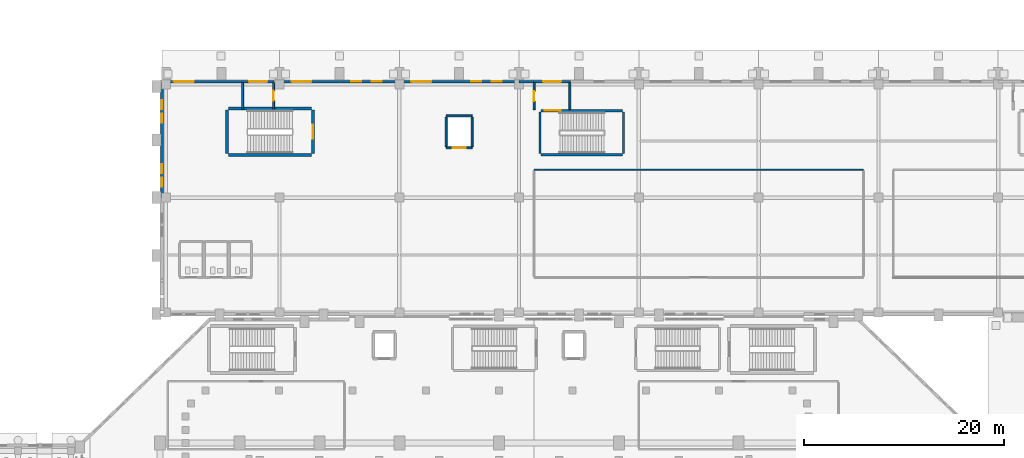
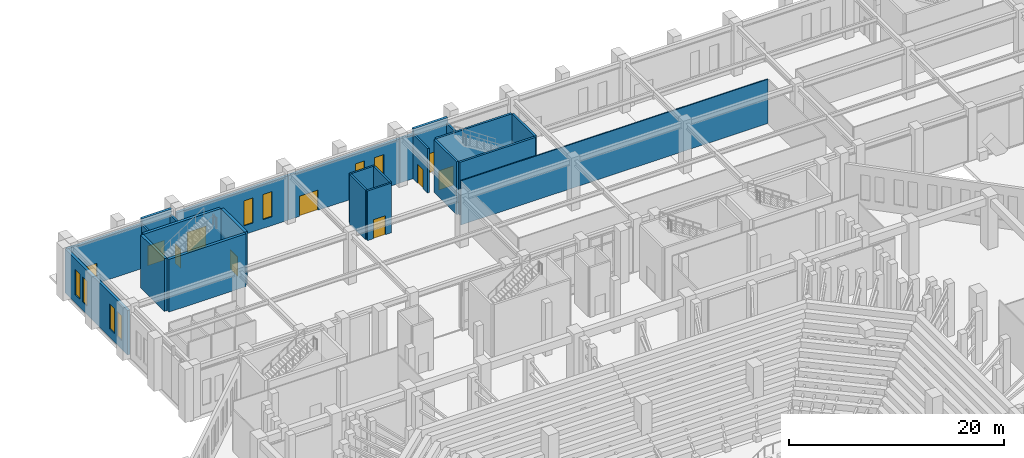
# One storey, part 119 of 143: 24 walls, 10 doors, 8 windows, 18 openings.
"""IFC4 building model written with IfcOpenShell, lengths in metres."""

from ifc_helpers import new_model, si_unit, derived_unit, direction, frame, frame_2d, origin, place, context, subcontext, project, spatial, rectangle, extrude, material, layer, layer_set, type_object, element, fill, save


model = new_model("IFC4")

# Units and contexts
model_context = context("Model", 3, precision=1e-05, world=origin(), true_north=direction((0.0, 1.0)))
body_context = subcontext(model_context, "Body", "Model", "MODEL_VIEW")
ifc_project = project(units=[si_unit("LENGTHUNIT", "METRE"), si_unit("AREAUNIT", "SQUARE_METRE"), si_unit("VOLUMEUNIT", "CUBIC_METRE"), si_unit("PLANEANGLEUNIT", "RADIAN"), si_unit("MASSUNIT", "GRAM", prefix="KILO"), derived_unit("THERMALTRANSMITTANCEUNIT", [(si_unit("MASSUNIT", "GRAM", prefix="KILO"), 1), (si_unit("TIMEUNIT", "SECOND"), -3), (si_unit("THERMODYNAMICTEMPERATUREUNIT", "KELVIN"), -1)])], contexts=[model_context])

# Site, building, storey
site_placement = place(None, origin())
site = spatial("IfcSite", under=ifc_project, at=site_placement, CompositionType="ELEMENT")
building_placement = place(site_placement, origin())
building = spatial("IfcBuilding", under=site, at=building_placement, Name="Valcora Ridge Arena", CompositionType="ELEMENT")
storey_placement = place(building_placement, origin())
storey = spatial("IfcBuildingStorey", under=building, at=storey_placement, Name="L00", CompositionType="ELEMENT", Elevation=0.0)

# Wall, opening, door
ifc_material_1 = material(Name="Bush-hammered Andean travertine on concrete backup C40/50", Category="masonry")
ifc_layer_1 = layer(ifc_material_1, 0.280029296875, Name="Bush-hammered Andean travertine on concrete backup C40/50")
ifc_layer_set_1 = layer_set([ifc_layer_1], Name="Bush-hammered Andean travertine on concrete backup C40/50")
wall_type_1 = type_object("IfcWallType", Name="TY-WALL-EW-TRV-28-50", PredefinedType="STANDARD", material=ifc_layer_set_1)
wall_1_placement = place(storey_placement, frame((24.219970703125, 131.820068359375, 0.0), z_axis=(0.0, 0.0, 1.0), x_axis=(1.0, 0.0, 0.0)))
wall_1 = element("IfcWall", 1, at=wall_1_placement, inside=storey, type_object=wall_type_1, Name="EW-TRV-28-50 WAL-EW-0105", PredefinedType="STANDARD", context=body_context, shape_type="SweptSolid", body=[
    extrude(rectangle(XDim=8.030029296875, YDim=0.280029296875, at=frame_2d((4.01513671875, 0.0))), origin(), (0.0, 0.0, 1.0), 5.028076171875),
])
opening_1_placement = place(wall_1_placement, frame((1.199951171875, 0.0, 0.0)))
opening_1 = element("IfcOpeningElement", 2, at=opening_1_placement, cuts=wall_1, Name="Opening D-EXIT-2000", PredefinedType="OPENING", context=body_context, shape_type="SweptSolid", body=[
    extrude(rectangle(XDim=2.0, YDim=2.300048828125, at=frame_2d((1.0, 1.14990234375))), frame((0.0, 0.14990234375, 0.0), z_axis=(0.0, -1.0, 0.0), x_axis=(1.0, 0.0, 0.0)), (0.0, 0.0, 1.0), 0.300048828125),
])
ifc_material_2 = material(Name="Thermally broken bronze aluminium glazed entrance leaf", Category="aluminium")
door_type_1 = type_object("IfcDoorType", Name="TY-DOOR-D-EXIT-2000", OperationType="NOTDEFINED", PredefinedType="DOOR", material=ifc_material_2)
door_1_placement = place(opening_1_placement, origin())
door_1 = element("IfcDoor", 3, at=door_1_placement, inside=storey, type_object=door_type_1, Name="D-EXIT-2000 DOR-EX-0025", OperationType="DOUBLE_DOOR_SINGLE_SWING", OverallHeight=2.300048828125, OverallWidth=2.0, PredefinedType="DOOR", context=body_context, shape_type="SweptSolid", body=[
    extrude(rectangle(XDim=2.0, YDim=2.300048828125, at=frame_2d((1.0, 1.14990234375))), frame((0.0, 0.02490234375, 0.0), z_axis=(0.0, -1.0, 0.0), x_axis=(1.0, 0.0, 0.0)), (0.0, 0.0, 1.0), 0.050048828125),
])
fill(opening_1, door_1)

# Wall, openings, door, windows
wall_2_placement = place(storey_placement, frame((36.0, 131.820068359375, 0.0), z_axis=(0.0, 0.0, 1.0), x_axis=(1.0, 0.0, 0.0)))
wall_2 = element("IfcWall", 4, at=wall_2_placement, inside=storey, type_object=wall_type_1, Name="EW-TRV-28-50 WAL-EW-0106", PredefinedType="STANDARD", context=body_context, shape_type="SweptSolid", body=[
    extrude(rectangle(XDim=12.0, YDim=0.280029296875, at=frame_2d((6.0, 0.0))), origin(), (0.0, 0.0, 1.0), 5.028076171875),
])
opening_2_placement = place(wall_2_placement, frame((1.199951171875, 0.0, 0.0)))
opening_2 = element("IfcOpeningElement", 5, at=opening_2_placement, cuts=wall_2, Name="Opening D-EXIT-2000", PredefinedType="OPENING", context=body_context, shape_type="SweptSolid", body=[
    extrude(rectangle(XDim=2.0, YDim=2.300048828125, at=frame_2d((1.0, 1.14990234375))), frame((0.0, 0.14990234375, 0.0), z_axis=(0.0, -1.0, 0.0), x_axis=(1.0, 0.0, 0.0)), (0.0, 0.0, 1.0), 0.300048828125),
])
opening_3_placement = place(wall_2_placement, frame((7.199951171875, 0.0, 1.0)))
opening_3 = element("IfcOpeningElement", 6, at=opening_3_placement, cuts=wall_2, Name="Opening W-LAN-100X285", PredefinedType="OPENING", context=body_context, shape_type="SweptSolid", body=[
    extrude(rectangle(XDim=1.0, YDim=2.85009765625, at=frame_2d((0.5, 1.425048828125))), frame((0.0, 0.14990234375, 0.0), z_axis=(0.0, -1.0, 0.0), x_axis=(1.0, 0.0, 0.0)), (0.0, 0.0, 1.0), 0.300048828125),
])
opening_4_placement = place(wall_2_placement, frame((9.25, 0.0, 1.0)))
opening_4 = element("IfcOpeningElement", 7, at=opening_4_placement, cuts=wall_2, Name="Opening W-LAN-100X285", PredefinedType="OPENING", context=body_context, shape_type="SweptSolid", body=[
    extrude(rectangle(XDim=1.0, YDim=2.85009765625, at=frame_2d((0.5, 1.425048828125))), frame((0.0, 0.14990234375, 0.0), z_axis=(0.0, -1.0, 0.0), x_axis=(1.0, 0.0, 0.0)), (0.0, 0.0, 1.0), 0.300048828125),
])
door_2_placement = place(opening_2_placement, origin())
door_2 = element("IfcDoor", 8, at=door_2_placement, inside=storey, type_object=door_type_1, Name="D-EXIT-2000 DOR-EX-0026", OperationType="DOUBLE_DOOR_SINGLE_SWING", OverallHeight=2.300048828125, OverallWidth=2.0, PredefinedType="DOOR", context=body_context, shape_type="SweptSolid", body=[
    extrude(rectangle(XDim=2.0, YDim=2.300048828125, at=frame_2d((1.0, 1.14990234375))), frame((0.0, 0.02490234375, 0.0), z_axis=(0.0, -1.0, 0.0), x_axis=(1.0, 0.0, 0.0)), (0.0, 0.0, 1.0), 0.050048828125),
])
fill(opening_2, door_2)
ifc_material_3 = material(Name="Low-iron solar-control double glazing SHGC 0.28", Category="glass")
window_type_1 = type_object("IfcWindowType", Name="TY-WINDOW-W-LAN-100X285", PartitioningType="DOUBLE_PANEL_VERTICAL", PredefinedType="WINDOW", material=ifc_material_3)
window_1_placement = place(opening_3_placement, origin())
window_1 = element("IfcWindow", 9, at=window_1_placement, inside=storey, type_object=window_type_1, Name="W-LAN-100X285 WIN-EX-0342", OverallHeight=2.85009765625, OverallWidth=1.0, PartitioningType="DOUBLE_PANEL_VERTICAL", PredefinedType="WINDOW", context=body_context, shape_type="SweptSolid", body=[
    extrude(rectangle(XDim=1.0, YDim=2.85009765625, at=frame_2d((0.5, 1.425048828125))), frame((0.0, 0.030029296875, 0.0), z_axis=(0.0, -1.0, 0.0), x_axis=(1.0, 0.0, 0.0)), (0.0, 0.0, 1.0), 0.06005859375),
])
fill(opening_3, window_1)
window_2_placement = place(opening_4_placement, origin())
window_2 = element("IfcWindow", 10, at=window_2_placement, inside=storey, type_object=window_type_1, Name="W-LAN-100X285 WIN-EX-0343", OverallHeight=2.85009765625, OverallWidth=1.0, PartitioningType="DOUBLE_PANEL_VERTICAL", PredefinedType="WINDOW", context=body_context, shape_type="SweptSolid", body=[
    extrude(rectangle(XDim=1.0, YDim=2.85009765625, at=frame_2d((0.5, 1.425048828125))), frame((0.0, 0.030029296875, 0.0), z_axis=(0.0, -1.0, 0.0), x_axis=(1.0, 0.0, 0.0)), (0.0, 0.0, 1.0), 0.06005859375),
])
fill(opening_4, window_2)

wall_3_placement = place(storey_placement, frame((48.0, 131.820068359375, 0.0), z_axis=(0.0, 0.0, 1.0), x_axis=(1.0, 0.0, 0.0)))
wall_3 = element("IfcWall", 11, at=wall_3_placement, inside=storey, type_object=wall_type_1, Name="EW-TRV-28-50 WAL-EW-0107", PredefinedType="STANDARD", context=body_context, shape_type="SweptSolid", body=[
    extrude(rectangle(XDim=12.0, YDim=0.280029296875, at=frame_2d((6.0, 0.0))), origin(), (0.0, 0.0, 1.0), 5.028076171875),
])
opening_5_placement = place(wall_3_placement, frame((1.199951171875, 0.0, 0.0)))
opening_5 = element("IfcOpeningElement", 12, at=opening_5_placement, cuts=wall_3, Name="Opening D-EXIT-2000", PredefinedType="OPENING", context=body_context, shape_type="SweptSolid", body=[
    extrude(rectangle(XDim=2.0, YDim=2.300048828125, at=frame_2d((1.0, 1.14990234375))), frame((0.0, 0.14990234375, 0.0), z_axis=(0.0, -1.0, 0.0), x_axis=(1.0, 0.0, 0.0)), (0.0, 0.0, 1.0), 0.300048828125),
])
opening_6_placement = place(wall_3_placement, frame((7.199951171875, 0.0, 1.0)))
opening_6 = element("IfcOpeningElement", 13, at=opening_6_placement, cuts=wall_3, Name="Opening W-LAN-100X285", PredefinedType="OPENING", context=body_context, shape_type="SweptSolid", body=[
    extrude(rectangle(XDim=1.0, YDim=2.85009765625, at=frame_2d((0.5, 1.425048828125))), frame((0.0, 0.14990234375, 0.0), z_axis=(0.0, -1.0, 0.0), x_axis=(1.0, 0.0, 0.0)), (0.0, 0.0, 1.0), 0.300048828125),
])
opening_7_placement = place(wall_3_placement, frame((9.25, 0.0, 1.0)))
opening_7 = element("IfcOpeningElement", 14, at=opening_7_placement, cuts=wall_3, Name="Opening W-LAN-100X285", PredefinedType="OPENING", context=body_context, shape_type="SweptSolid", body=[
    extrude(rectangle(XDim=1.0, YDim=2.85009765625, at=frame_2d((0.5, 1.425048828125))), frame((0.0, 0.14990234375, 0.0), z_axis=(0.0, -1.0, 0.0), x_axis=(1.0, 0.0, 0.0)), (0.0, 0.0, 1.0), 0.300048828125),
])
door_3_placement = place(opening_5_placement, origin())
door_3 = element("IfcDoor", 15, at=door_3_placement, inside=storey, type_object=door_type_1, Name="D-EXIT-2000 DOR-EX-0027", OperationType="DOUBLE_DOOR_SINGLE_SWING", OverallHeight=2.300048828125, OverallWidth=2.0, PredefinedType="DOOR", context=body_context, shape_type="SweptSolid", body=[
    extrude(rectangle(XDim=2.0, YDim=2.300048828125, at=frame_2d((1.0, 1.14990234375))), frame((0.0, 0.02490234375, 0.0), z_axis=(0.0, -1.0, 0.0), x_axis=(1.0, 0.0, 0.0)), (0.0, 0.0, 1.0), 0.050048828125),
])
fill(opening_5, door_3)
window_3_placement = place(opening_6_placement, origin())
window_3 = element("IfcWindow", 16, at=window_3_placement, inside=storey, type_object=window_type_1, Name="W-LAN-100X285 WIN-EX-0344", OverallHeight=2.85009765625, OverallWidth=1.0, PartitioningType="DOUBLE_PANEL_VERTICAL", PredefinedType="WINDOW", context=body_context, shape_type="SweptSolid", body=[
    extrude(rectangle(XDim=1.0, YDim=2.85009765625, at=frame_2d((0.5, 1.425048828125))), frame((0.0, 0.030029296875, 0.0), z_axis=(0.0, -1.0, 0.0), x_axis=(1.0, 0.0, 0.0)), (0.0, 0.0, 1.0), 0.06005859375),
])
fill(opening_6, window_3)
window_4_placement = place(opening_7_placement, origin())
window_4 = element("IfcWindow", 17, at=window_4_placement, inside=storey, type_object=window_type_1, Name="W-LAN-100X285 WIN-EX-0345", OverallHeight=2.85009765625, OverallWidth=1.0, PartitioningType="DOUBLE_PANEL_VERTICAL", PredefinedType="WINDOW", context=body_context, shape_type="SweptSolid", body=[
    extrude(rectangle(XDim=1.0, YDim=2.85009765625, at=frame_2d((0.5, 1.425048828125))), frame((0.0, 0.030029296875, 0.0), z_axis=(0.0, -1.0, 0.0), x_axis=(1.0, 0.0, 0.0)), (0.0, 0.0, 1.0), 0.06005859375),
])
fill(opening_7, window_4)

# Wall
wall_4_placement = place(storey_placement, frame((60.0, 131.820068359375, 0.0), z_axis=(0.0, 0.0, 1.0), x_axis=(1.0, 0.0, 0.0)))
element("IfcWall", 18, at=wall_4_placement, inside=storey, type_object=wall_type_1, Name="EW-TRV-28-50 WAL-EW-0108", PredefinedType="STANDARD", context=body_context, shape_type="SweptSolid", body=[
    extrude(rectangle(XDim=1.449951171875, YDim=0.280029296875, at=frame_2d((0.72509765625, 0.0))), origin(), (0.0, 0.0, 1.0), 5.028076171875),
])

# Wall, openings, windows
wall_5_placement = place(storey_placement, frame((24.219970703125, 120.199951171875, 0.0), z_axis=(0.0, 0.0, 1.0), x_axis=(0.0, 1.0, 0.0)))
wall_5 = element("IfcWall", 19, at=wall_5_placement, inside=storey, type_object=wall_type_1, Name="EW-TRV-28-50 WAL-EW-0128", PredefinedType="STANDARD", context=body_context, shape_type="SweptSolid", body=[
    extrude(rectangle(XDim=11.60009765625, YDim=0.280029296875, at=frame_2d((5.800048828125, 0.0))), origin(), (0.0, 0.0, 1.0), 5.028076171875),
])
opening_8_placement = place(wall_5_placement, frame((1.10009765625, 0.0, 0.949951171875)))
opening_8 = element("IfcOpeningElement", 20, at=opening_8_placement, cuts=wall_5, Name="Opening W-GLAN-90X285", PredefinedType="OPENING", context=body_context, shape_type="SweptSolid", body=[
    extrude(rectangle(XDim=0.89990234375, YDim=2.85009765625, at=frame_2d((0.449951171875, 1.425048828125))), frame((0.0, 0.14990234375, 0.0), z_axis=(0.0, -1.0, 0.0), x_axis=(1.0, 0.0, 0.0)), (0.0, 0.0, 1.0), 0.300048828125),
])
opening_9_placement = place(wall_5_placement, frame((2.449951171875, 0.0, 0.949951171875)))
opening_9 = element("IfcOpeningElement", 21, at=opening_9_placement, cuts=wall_5, Name="Opening W-GLAN-90X285", PredefinedType="OPENING", context=body_context, shape_type="SweptSolid", body=[
    extrude(rectangle(XDim=0.89990234375, YDim=2.85009765625, at=frame_2d((0.449951171875, 1.425048828125))), frame((0.0, 0.14990234375, 0.0), z_axis=(0.0, -1.0, 0.0), x_axis=(1.0, 0.0, 0.0)), (0.0, 0.0, 1.0), 0.300048828125),
])
opening_10_placement = place(wall_5_placement, frame((7.5, 0.0, 0.949951171875)))
opening_10 = element("IfcOpeningElement", 22, at=opening_10_placement, cuts=wall_5, Name="Opening W-GLAN-90X285", PredefinedType="OPENING", context=body_context, shape_type="SweptSolid", body=[
    extrude(rectangle(XDim=0.89990234375, YDim=2.85009765625, at=frame_2d((0.449951171875, 1.425048828125))), frame((0.0, 0.14990234375, 0.0), z_axis=(0.0, -1.0, 0.0), x_axis=(1.0, 0.0, 0.0)), (0.0, 0.0, 1.0), 0.300048828125),
])
opening_11_placement = place(wall_5_placement, frame((8.85009765625, 0.0, 0.949951171875)))
opening_11 = element("IfcOpeningElement", 23, at=opening_11_placement, cuts=wall_5, Name="Opening W-GLAN-90X285", PredefinedType="OPENING", context=body_context, shape_type="SweptSolid", body=[
    extrude(rectangle(XDim=0.89990234375, YDim=2.85009765625, at=frame_2d((0.449951171875, 1.425048828125))), frame((0.0, 0.14990234375, 0.0), z_axis=(0.0, -1.0, 0.0), x_axis=(1.0, 0.0, 0.0)), (0.0, 0.0, 1.0), 0.300048828125),
])
window_type_2 = type_object("IfcWindowType", Name="TY-WINDOW-W-GLAN-90X285", PartitioningType="DOUBLE_PANEL_VERTICAL", PredefinedType="WINDOW", material=ifc_material_3)
window_5_placement = place(opening_8_placement, origin())
window_5 = element("IfcWindow", 24, at=window_5_placement, inside=storey, type_object=window_type_2, Name="W-GLAN-90X285 WIN-EX-0378", OverallHeight=2.85009765625, OverallWidth=0.89990234375, PartitioningType="DOUBLE_PANEL_VERTICAL", PredefinedType="WINDOW", context=body_context, shape_type="SweptSolid", body=[
    extrude(rectangle(XDim=0.89990234375, YDim=2.85009765625, at=frame_2d((0.449951171875, 1.425048828125))), frame((0.0, 0.030029296875, 0.0), z_axis=(0.0, -1.0, 0.0), x_axis=(1.0, 0.0, 0.0)), (0.0, 0.0, 1.0), 0.06005859375),
])
fill(opening_8, window_5)
window_6_placement = place(opening_9_placement, origin())
window_6 = element("IfcWindow", 25, at=window_6_placement, inside=storey, type_object=window_type_2, Name="W-GLAN-90X285 WIN-EX-0379", OverallHeight=2.85009765625, OverallWidth=0.89990234375, PartitioningType="DOUBLE_PANEL_VERTICAL", PredefinedType="WINDOW", context=body_context, shape_type="SweptSolid", body=[
    extrude(rectangle(XDim=0.89990234375, YDim=2.85009765625, at=frame_2d((0.449951171875, 1.425048828125))), frame((0.0, 0.030029296875, 0.0), z_axis=(0.0, -1.0, 0.0), x_axis=(1.0, 0.0, 0.0)), (0.0, 0.0, 1.0), 0.06005859375),
])
fill(opening_9, window_6)
window_7_placement = place(opening_10_placement, origin())
window_7 = element("IfcWindow", 26, at=window_7_placement, inside=storey, type_object=window_type_2, Name="W-GLAN-90X285 WIN-EX-0380", OverallHeight=2.85009765625, OverallWidth=0.89990234375, PartitioningType="DOUBLE_PANEL_VERTICAL", PredefinedType="WINDOW", context=body_context, shape_type="SweptSolid", body=[
    extrude(rectangle(XDim=0.89990234375, YDim=2.85009765625, at=frame_2d((0.449951171875, 1.425048828125))), frame((0.0, 0.030029296875, 0.0), z_axis=(0.0, -1.0, 0.0), x_axis=(1.0, 0.0, 0.0)), (0.0, 0.0, 1.0), 0.06005859375),
])
fill(opening_10, window_7)
window_8_placement = place(opening_11_placement, origin())
window_8 = element("IfcWindow", 27, at=window_8_placement, inside=storey, type_object=window_type_2, Name="W-GLAN-90X285 WIN-EX-0381", OverallHeight=2.85009765625, OverallWidth=0.89990234375, PartitioningType="DOUBLE_PANEL_VERTICAL", PredefinedType="WINDOW", context=body_context, shape_type="SweptSolid", body=[
    extrude(rectangle(XDim=0.89990234375, YDim=2.85009765625, at=frame_2d((0.449951171875, 1.425048828125))), frame((0.0, 0.030029296875, 0.0), z_axis=(0.0, -1.0, 0.0), x_axis=(1.0, 0.0, 0.0)), (0.0, 0.0, 1.0), 0.06005859375),
])
fill(opening_11, window_8)

# Wall, opening, door
ifc_layer_2 = layer(ifc_material_1, 0.280029296875, Name="Bush-hammered Andean travertine on concrete backup C40/50")
ifc_layer_set_2 = layer_set([ifc_layer_2], Name="Bush-hammered Andean travertine on concrete backup C40/50")
wall_type_2 = type_object("IfcWallType", Name="TY-WALL-EW-TRV-XP-56", PredefinedType="STANDARD", material=ifc_layer_set_2)
wall_6_placement = place(storey_placement, frame((32.25, 131.820068359375, 0.0), z_axis=(0.0, 0.0, 1.0), x_axis=(1.0, 0.0, 0.0)))
wall_6 = element("IfcWall", 28, at=wall_6_placement, inside=storey, type_object=wall_type_2, Name="EW-TRV-XP-56 WAL-XP-0023", PredefinedType="STANDARD", context=body_context, shape_type="SweptSolid", body=[
    extrude(rectangle(XDim=3.199951171875, YDim=0.280029296875, at=frame_2d((1.60009765625, 0.0))), origin(), (0.0, 0.0, 1.0), 5.639892578125),
])
opening_12_placement = place(wall_6_placement, frame((0.699951171875, 0.0, 0.0)))
opening_12 = element("IfcOpeningElement", 29, at=opening_12_placement, cuts=wall_6, Name="Opening D-EXP-1800", PredefinedType="OPENING", context=body_context, shape_type="SweptSolid", body=[
    extrude(rectangle(XDim=1.800048828125, YDim=2.25, at=frame_2d((0.89990234375, 1.125))), frame((0.0, 0.14990234375, 0.0), z_axis=(0.0, -1.0, 0.0), x_axis=(1.0, 0.0, 0.0)), (0.0, 0.0, 1.0), 0.300048828125),
])
ifc_material_4 = material(Name="Insulated fire-rated steel door leaf", Category="steel")
door_type_2 = type_object("IfcDoorType", Name="TY-DOOR-D-EXP-1800", OperationType="NOTDEFINED", PredefinedType="DOOR", material=ifc_material_4)
door_4_placement = place(opening_12_placement, origin())
door_4 = element("IfcDoor", 30, at=door_4_placement, inside=storey, type_object=door_type_2, Name="Final Exit Discharge Door ST09", OperationType="DOUBLE_DOOR_SINGLE_SWING", OverallHeight=2.25, OverallWidth=1.800048828125, PredefinedType="DOOR", context=body_context, shape_type="SweptSolid", body=[
    extrude(rectangle(XDim=1.800048828125, YDim=2.25, at=frame_2d((0.89990234375, 1.125))), frame((0.0, 0.02490234375, 0.0), z_axis=(0.0, -1.0, 0.0), x_axis=(1.0, 0.0, 0.0)), (0.0, 0.0, 1.0), 0.050048828125),
])
fill(opening_12, door_4)

wall_7_placement = place(storey_placement, frame((61.449951171875, 131.820068359375, 0.0), z_axis=(0.0, 0.0, 1.0), x_axis=(1.0, 0.0, 0.0)))
wall_7 = element("IfcWall", 31, at=wall_7_placement, inside=storey, type_object=wall_type_2, Name="EW-TRV-XP-56 WAL-XP-0026", PredefinedType="STANDARD", context=body_context, shape_type="SweptSolid", body=[
    extrude(rectangle(XDim=3.699951171875, YDim=0.280029296875, at=frame_2d((1.85009765625, 0.0))), origin(), (0.0, 0.0, 1.0), 5.639892578125),
])
opening_13_placement = place(wall_7_placement, frame((0.949951171875, 0.0, 0.0)))
opening_13 = element("IfcOpeningElement", 32, at=opening_13_placement, cuts=wall_7, Name="Opening D-EXP-1800", PredefinedType="OPENING", context=body_context, shape_type="SweptSolid", body=[
    extrude(rectangle(XDim=1.800048828125, YDim=2.25, at=frame_2d((0.89990234375, 1.125))), frame((0.0, 0.14990234375, 0.0), z_axis=(0.0, -1.0, 0.0), x_axis=(1.0, 0.0, 0.0)), (0.0, 0.0, 1.0), 0.300048828125),
])
door_5_placement = place(opening_13_placement, origin())
door_5 = element("IfcDoor", 33, at=door_5_placement, inside=storey, type_object=door_type_2, Name="Final Exit Discharge Door ES09", OperationType="DOUBLE_DOOR_SINGLE_SWING", OverallHeight=2.25, OverallWidth=1.800048828125, PredefinedType="DOOR", context=body_context, shape_type="SweptSolid", body=[
    extrude(rectangle(XDim=1.800048828125, YDim=2.25, at=frame_2d((0.89990234375, 1.125))), frame((0.0, 0.02490234375, 0.0), z_axis=(0.0, -1.0, 0.0), x_axis=(1.0, 0.0, 0.0)), (0.0, 0.0, 1.0), 0.050048828125),
])
fill(opening_13, door_5)

# Wall
ifc_material_5 = material(Name="Fire-resisting reinforced concrete enclosure C40/50 200 mm", Category="concrete")
ifc_layer_3 = layer(ifc_material_5, 0.199951171875, Name="Fire-resisting reinforced concrete enclosure C40/50 200 mm")
ifc_layer_set_3 = layer_set([ifc_layer_3], Name="Fire-resisting reinforced concrete enclosure C40/50 200 mm")
wall_type_3 = type_object("IfcWallType", Name="TY-WALL-IW-FIRE-200", PredefinedType="STANDARD", material=ifc_layer_set_3)
wall_8_placement = place(storey_placement, frame((32.300048828125, 129.10009765625, 0.0), z_axis=(0.0, 0.0, 1.0), x_axis=(0.0, 1.0, 0.0)))
element("IfcWall", 34, at=wall_8_placement, inside=storey, type_object=wall_type_3, Name="IW-FIRE-200 WAL-XP-0024", PredefinedType="STANDARD", context=body_context, shape_type="SweptSolid", body=[
    extrude(rectangle(XDim=2.619873046875, YDim=0.199951171875, at=frame_2d((1.31005859375, 0.0))), origin(), (0.0, 0.0, 1.0), 5.028076171875),
])

# Wall, opening, door
wall_9_placement = place(storey_placement, frame((35.39990234375, 129.10009765625, 0.0), z_axis=(0.0, 0.0, 1.0), x_axis=(0.0, 1.0, 0.0)))
wall_9 = element("IfcWall", 35, at=wall_9_placement, inside=storey, type_object=wall_type_3, Name="IW-FIRE-200 WAL-XP-0025", PredefinedType="STANDARD", context=body_context, shape_type="SweptSolid", body=[
    extrude(rectangle(XDim=2.619873046875, YDim=0.199951171875, at=frame_2d((1.31005859375, 0.0))), origin(), (0.0, 0.0, 1.0), 5.028076171875),
])
opening_14_placement = place(wall_9_placement, frame((0.81005859375, 0.0, 0.0)))
opening_14 = element("IfcOpeningElement", 36, at=opening_14_placement, cuts=wall_9, Name="Opening FD-STE-1000", PredefinedType="OPENING", context=body_context, shape_type="SweptSolid", body=[
    extrude(rectangle(XDim=1.0, YDim=2.14990234375, at=frame_2d((0.5, 1.074951171875))), frame((0.0, 0.10986328125, 0.0), z_axis=(0.0, -1.0, 0.0), x_axis=(1.0, 0.0, 0.0)), (0.0, 0.0, 1.0), 0.219970703125),
])
door_type_3 = type_object("IfcDoorType", Name="TY-DOOR-FD-STE-1000", OperationType="NOTDEFINED", PredefinedType="DOOR", material=ifc_material_4)
door_6_placement = place(opening_14_placement, origin())
door_6 = element("IfcDoor", 37, at=door_6_placement, inside=storey, type_object=door_type_3, Name="FD-STE-1000 DOR-XP-0016", OperationType="SINGLE_SWING_LEFT", OverallHeight=2.14990234375, OverallWidth=1.0, PredefinedType="DOOR", context=body_context, shape_type="SweptSolid", body=[
    extrude(rectangle(XDim=1.0, YDim=2.14990234375, at=frame_2d((0.5, 1.074951171875))), frame((0.0, 0.02490234375, 0.0), z_axis=(0.0, -1.0, 0.0), x_axis=(1.0, 0.0, 0.0)), (0.0, 0.0, 1.0), 0.050048828125),
])
fill(opening_14, door_6)

wall_10_placement = place(storey_placement, frame((61.5, 129.010009765625, 0.0), z_axis=(0.0, 0.0, 1.0), x_axis=(0.0, 1.0, 0.0)))
wall_10 = element("IfcWall", 38, at=wall_10_placement, inside=storey, type_object=wall_type_3, Name="IW-FIRE-200 WAL-XP-0027", PredefinedType="STANDARD", context=body_context, shape_type="SweptSolid", body=[
    extrude(rectangle(XDim=2.7099609375, YDim=0.199951171875, at=frame_2d((1.35498046875, 0.0))), origin(), (0.0, 0.0, 1.0), 5.028076171875),
])
opening_15_placement = place(wall_10_placement, frame((0.85498046875, 0.0, 0.0)))
opening_15 = element("IfcOpeningElement", 39, at=opening_15_placement, cuts=wall_10, Name="Opening FD-STE-1000", PredefinedType="OPENING", context=body_context, shape_type="SweptSolid", body=[
    extrude(rectangle(XDim=1.0, YDim=2.14990234375, at=frame_2d((0.5, 1.074951171875))), frame((0.0, 0.10986328125, 0.0), z_axis=(0.0, -1.0, 0.0), x_axis=(1.0, 0.0, 0.0)), (0.0, 0.0, 1.0), 0.219970703125),
])
door_7_placement = place(opening_15_placement, origin())
door_7 = element("IfcDoor", 40, at=door_7_placement, inside=storey, type_object=door_type_3, Name="FD-STE-1000 DOR-XP-0018", OperationType="SINGLE_SWING_RIGHT", OverallHeight=2.14990234375, OverallWidth=1.0, PredefinedType="DOOR", context=body_context, shape_type="SweptSolid", body=[
    extrude(rectangle(XDim=1.0, YDim=2.14990234375, at=frame_2d((0.5, 1.074951171875))), frame((0.0, 0.02490234375, 0.0), z_axis=(0.0, -1.0, 0.0), x_axis=(1.0, 0.0, 0.0)), (0.0, 0.0, 1.0), 0.050048828125),
])
fill(opening_15, door_7)

# Walls
wall_11_placement = place(storey_placement, frame((65.10009765625, 129.010009765625, 0.0), z_axis=(0.0, 0.0, 1.0), x_axis=(0.0, 1.0, 0.0)))
element("IfcWall", 41, at=wall_11_placement, inside=storey, type_object=wall_type_3, Name="IW-FIRE-200 WAL-XP-0028", PredefinedType="STANDARD", context=body_context, shape_type="SweptSolid", body=[
    extrude(rectangle(XDim=2.7099609375, YDim=0.199951171875, at=frame_2d((1.35498046875, 0.0))), origin(), (0.0, 0.0, 1.0), 5.028076171875),
])
ifc_material_6 = material(Name="Acoustic metal-stud gypsum partition 120 mm")
ifc_layer_4 = layer(ifc_material_6, 0.1201171875, Name="Acoustic metal-stud gypsum partition 120 mm")
ifc_layer_set_4 = layer_set([ifc_layer_4], Name="Acoustic metal-stud gypsum partition 120 mm")
wall_type_4 = type_object("IfcWallType", Name="TY-WALL-IW-PART-120", PredefinedType="PARTITIONING", material=ifc_layer_set_4)
wall_12_placement = place(storey_placement, frame((61.5, 123.0, 0.0), z_axis=(0.0, 0.0, 1.0), x_axis=(1.0, 0.0, 0.0)))
element("IfcWall", 42, at=wall_12_placement, inside=storey, type_object=wall_type_4, Name="IW-PART-120 WAL-IN-0274", PredefinedType="PARTITIONING", context=body_context, shape_type="SweptSolid", body=[
    extrude(rectangle(XDim=33.0, YDim=0.1201171875, at=frame_2d((16.5, 0.0))), origin(), (0.0, 0.0, 1.0), 5.028076171875),
])

# Wall, opening, door
ifc_material_7 = material(Name="Concrete C40/50", Category="concrete")
ifc_layer_5 = layer(ifc_material_7, 0.199951171875, Name="Concrete C40/50")
ifc_layer_set_5 = layer_set([ifc_layer_5], Name="Concrete C40/50")
wall_type_5 = type_object("IfcWallType", Name="TY-WALL-IW-SHF-200", PredefinedType="STANDARD", material=ifc_layer_set_5)
wall_13_placement = place(storey_placement, frame((52.699951171875, 125.199951171875, 0.0), z_axis=(0.0, 0.0, 1.0), x_axis=(1.0, 0.0, 0.0)))
wall_13 = element("IfcWall", 43, at=wall_13_placement, inside=storey, type_object=wall_type_5, Name="IW-SHF-200 WAL-SH-0249", PredefinedType="STANDARD", context=body_context, shape_type="SweptSolid", body=[
    extrude(rectangle(XDim=2.60009765625, YDim=0.199951171875, at=frame_2d((1.300048828125, 0.0))), origin(), (0.0, 0.0, 1.0), 5.639892578125),
])
opening_16_placement = place(wall_13_placement, frame((0.64990234375, 0.0, 0.0)))
opening_16 = element("IfcOpeningElement", 44, at=opening_16_placement, cuts=wall_13, Name="Opening LD-GDS", PredefinedType="OPENING", context=body_context, shape_type="SweptSolid", body=[
    extrude(rectangle(XDim=1.300048828125, YDim=2.14990234375, at=frame_2d((0.64990234375, 1.074951171875))), frame((0.0, 0.10986328125, 0.0), z_axis=(0.0, -1.0, 0.0), x_axis=(1.0, 0.0, 0.0)), (0.0, 0.0, 1.0), 0.219970703125),
])
ifc_material_8 = material(Name="Insulated fire-rated hollow metal steel", Category="steel")
door_type_4 = type_object("IfcDoorType", Name="TY-DOOR-LD-GDS", OperationType="NOTDEFINED", PredefinedType="DOOR", material=ifc_material_8)
door_8_placement = place(opening_16_placement, origin())
door_8 = element("IfcDoor", 45, at=door_8_placement, inside=storey, type_object=door_type_4, Name="GL1 Landing Door L00", OperationType="SLIDING_TO_LEFT", OverallHeight=2.14990234375, OverallWidth=1.300048828125, PredefinedType="DOOR", context=body_context, shape_type="SweptSolid", body=[
    extrude(rectangle(XDim=1.300048828125, YDim=2.14990234375, at=frame_2d((0.64990234375, 1.074951171875))), frame((0.0, 0.02490234375, 0.0), z_axis=(0.0, -1.0, 0.0), x_axis=(1.0, 0.0, 0.0)), (0.0, 0.0, 1.0), 0.050048828125),
])
fill(opening_16, door_8)

# Walls
wall_14_placement = place(storey_placement, frame((52.699951171875, 128.39990234375, 0.0), z_axis=(0.0, 0.0, 1.0), x_axis=(1.0, 0.0, 0.0)))
element("IfcWall", 46, at=wall_14_placement, inside=storey, type_object=wall_type_5, Name="IW-SHF-200 WAL-SH-0250", PredefinedType="STANDARD", context=body_context, shape_type="SweptSolid", body=[
    extrude(rectangle(XDim=2.60009765625, YDim=0.199951171875, at=frame_2d((1.300048828125, 0.0))), origin(), (0.0, 0.0, 1.0), 5.639892578125),
])
for number, where, z_axis, x_axis, name in (
    (47, (52.699951171875, 125.320068359375, 0.0), (0.0, 0.0, 1.0), (0.0, 1.0, 0.0), "IW-SHF-200 WAL-SH-0251"),
    (48, (55.300048828125, 125.320068359375, 0.0), (0.0, 0.0, 1.0), (0.0, 1.0, 0.0), "IW-SHF-200 WAL-SH-0252"),
):
    element("IfcWall", number, at=place(storey_placement, frame(where, z_axis=z_axis, x_axis=x_axis)), inside=storey, type_object=wall_type_5, Name=name, PredefinedType="STANDARD", context=body_context, shape_type="SweptSolid", body=[
        extrude(rectangle(XDim=2.9599609375, YDim=0.199951171875, at=frame_2d((1.47998046875, 0.0))), origin(), (0.0, 0.0, 1.0), 5.639892578125),
    ])
ifc_material_9 = material(Name="Concrete C45/55", Category="concrete")
ifc_layer_6 = layer(ifc_material_9, 0.300048828125, Name="Concrete C45/55")
ifc_layer_set_6 = layer_set([ifc_layer_6], Name="Concrete C45/55")
wall_type_6 = type_object("IfcWallType", Name="TY-WALL-SW-C300-L", PredefinedType="SHEAR", material=ifc_layer_set_6)
for number, where, z_axis, x_axis, name in (
    (49, (30.8798828125, 124.449951171875, 0.0), (0.0, 0.0, 1.0), (1.0, 0.0, 0.0), "SW-C300-L WAL-CR-0181"),
    (50, (30.8798828125, 129.14990234375, 0.0), (0.0, 0.0, 1.0), (1.0, 0.0, 0.0), "SW-C300-L WAL-CR-0182"),
):
    element("IfcWall", number, at=place(storey_placement, frame(where, z_axis=z_axis, x_axis=x_axis)), inside=storey, type_object=wall_type_6, Name=name, PredefinedType="SHEAR", context=body_context, shape_type="SweptSolid", body=[
        extrude(rectangle(XDim=8.320068359375, YDim=0.300048828125, at=frame_2d((4.16015625, 0.0))), origin(), (0.0, 0.0, 1.0), 6.0),
    ])
ifc_layer_7 = layer(ifc_material_9, 0.300048828125, Name="Concrete C45/55")
ifc_layer_set_7 = layer_set([ifc_layer_7], Name="Concrete C45/55")
wall_type_7 = type_object("IfcWallType", Name="TY-WALL-SW-C300-S", PredefinedType="SHEAR", material=ifc_layer_set_7)
wall_15_placement = place(storey_placement, frame((30.72998046875, 124.60009765625, 0.0), z_axis=(0.0, 0.0, 1.0), x_axis=(0.0, 1.0, 0.0)))
element("IfcWall", 51, at=wall_15_placement, inside=storey, type_object=wall_type_7, Name="SW-C300-S WAL-CR-0183", PredefinedType="SHEAR", context=body_context, shape_type="SweptSolid", body=[
    extrude(rectangle(XDim=4.39990234375, YDim=0.300048828125, at=frame_2d((2.199951171875, 0.0))), origin(), (0.0, 0.0, 1.0), 6.0),
])

# Wall, opening, door
wall_16_placement = place(storey_placement, frame((39.35009765625, 124.60009765625, 0.0), z_axis=(0.0, 0.0, 1.0), x_axis=(0.0, 1.0, 0.0)))
wall_16 = element("IfcWall", 52, at=wall_16_placement, inside=storey, type_object=wall_type_7, Name="SW-C300-S WAL-CR-0184", PredefinedType="SHEAR", context=body_context, shape_type="SweptSolid", body=[
    extrude(rectangle(XDim=4.39990234375, YDim=0.300048828125, at=frame_2d((2.199951171875, 0.0))), origin(), (0.0, 0.0, 1.0), 6.0),
])
opening_17_placement = place(wall_16_placement, frame((1.5, 0.0, 0.0)))
opening_17 = element("IfcOpeningElement", 53, at=opening_17_placement, cuts=wall_16, Name="Opening FD-01", PredefinedType="OPENING", context=body_context, shape_type="SweptSolid", body=[
    extrude(rectangle(XDim=1.39990234375, YDim=2.199951171875, at=frame_2d((0.699951171875, 1.10009765625))), frame((0.0, 0.159912109375, 0.0), z_axis=(0.0, -1.0, 0.0), x_axis=(1.0, 0.0, 0.0)), (0.0, 0.0, 1.0), 0.320068359375),
])
door_type_5 = type_object("IfcDoorType", Name="TY-DOOR-FD-01", OperationType="NOTDEFINED", PredefinedType="DOOR", material=ifc_material_4)
door_9_placement = place(opening_17_placement, origin())
door_9 = element("IfcDoor", 54, at=door_9_placement, inside=storey, type_object=door_type_5, Name="FD-01 DOR-ST-0046", OperationType="DOUBLE_DOOR_SINGLE_SWING", OverallHeight=2.199951171875, OverallWidth=1.39990234375, PredefinedType="DOOR", context=body_context, shape_type="SweptSolid", body=[
    extrude(rectangle(XDim=1.39990234375, YDim=2.199951171875, at=frame_2d((0.699951171875, 1.10009765625))), frame((0.0, 0.02490234375, 0.0), z_axis=(0.0, -1.0, 0.0), x_axis=(1.0, 0.0, 0.0)), (0.0, 0.0, 1.0), 0.050048828125),
])
fill(opening_17, door_9)

# Wall
ifc_layer_8 = layer(ifc_material_5, 0.219970703125, Name="Fire-resisting reinforced concrete enclosure C40/50 200 mm")
ifc_layer_set_8 = layer_set([ifc_layer_8], Name="Fire-resisting reinforced concrete enclosure C40/50 200 mm")
wall_type_8 = type_object("IfcWallType", Name="TY-WALL-SW-ES-220", PredefinedType="SHEAR", material=ifc_layer_set_8)
wall_17_placement = place(storey_placement, frame((62.199951171875, 124.489990234375, 0.0), z_axis=(0.0, 0.0, 1.0), x_axis=(1.0, 0.0, 0.0)))
element("IfcWall", 55, at=wall_17_placement, inside=storey, type_object=wall_type_8, Name="SW-ES-220 WAL-ES-0169", PredefinedType="SHEAR", context=body_context, shape_type="SweptSolid", body=[
    extrude(rectangle(XDim=8.16015625, YDim=0.219970703125, at=frame_2d((4.080078125, 0.0))), origin(), (0.0, 0.0, 1.0), 6.0),
])

# Wall, opening, door
wall_18_placement = place(storey_placement, frame((62.199951171875, 128.909912109375, 0.0), z_axis=(0.0, 0.0, 1.0), x_axis=(1.0, 0.0, 0.0)))
wall_18 = element("IfcWall", 56, at=wall_18_placement, inside=storey, type_object=wall_type_8, Name="SW-ES-220 WAL-ES-0170", PredefinedType="SHEAR", context=body_context, shape_type="SweptSolid", body=[
    extrude(rectangle(XDim=8.16015625, YDim=0.219970703125, at=frame_2d((4.080078125, 0.0))), origin(), (0.0, 0.0, 1.0), 6.0),
])
opening_18_placement = place(wall_18_placement, frame((0.35009765625, 0.0, 0.0)))
opening_18 = element("IfcOpeningElement", 57, at=opening_18_placement, cuts=wall_18, Name="Opening FD-02", PredefinedType="OPENING", context=body_context, shape_type="SweptSolid", body=[
    extrude(rectangle(XDim=1.60009765625, YDim=2.199951171875, at=frame_2d((0.800048828125, 1.10009765625))), frame((0.0, 0.119873046875, 0.0), z_axis=(0.0, -1.0, 0.0), x_axis=(1.0, 0.0, 0.0)), (0.0, 0.0, 1.0), 0.239990234375),
])
door_type_6 = type_object("IfcDoorType", Name="TY-DOOR-FD-02", OperationType="NOTDEFINED", PredefinedType="DOOR", material=ifc_material_4)
door_10_placement = place(opening_18_placement, origin())
door_10 = element("IfcDoor", 58, at=door_10_placement, inside=storey, type_object=door_type_6, Name="FD-02 DOR-ES-0038", OperationType="DOUBLE_DOOR_SINGLE_SWING", OverallHeight=2.199951171875, OverallWidth=1.60009765625, PredefinedType="DOOR", context=body_context, shape_type="SweptSolid", body=[
    extrude(rectangle(XDim=1.60009765625, YDim=2.199951171875, at=frame_2d((0.800048828125, 1.10009765625))), frame((0.0, 0.02490234375, 0.0), z_axis=(0.0, -1.0, 0.0), x_axis=(1.0, 0.0, 0.0)), (0.0, 0.0, 1.0), 0.050048828125),
])
fill(opening_18, door_10)

# Walls
for number, where, z_axis, x_axis, name in (
    (59, (62.090087890625, 124.60009765625, 0.0), (0.0, 0.0, 1.0), (0.0, 1.0, 0.0), "SW-ES-220 WAL-ES-0171"),
    (60, (70.469970703125, 124.60009765625, 0.0), (0.0, 0.0, 1.0), (0.0, 1.0, 0.0), "SW-ES-220 WAL-ES-0172"),
):
    element("IfcWall", number, at=place(storey_placement, frame(where, z_axis=z_axis, x_axis=x_axis)), inside=storey, type_object=wall_type_8, Name=name, PredefinedType="SHEAR", context=body_context, shape_type="SweptSolid", body=[
        extrude(rectangle(XDim=4.199951171875, YDim=0.219970703125, at=frame_2d((2.10009765625, 0.0))), origin(), (0.0, 0.0, 1.0), 6.0),
    ])

save(model, "model.ifc")
